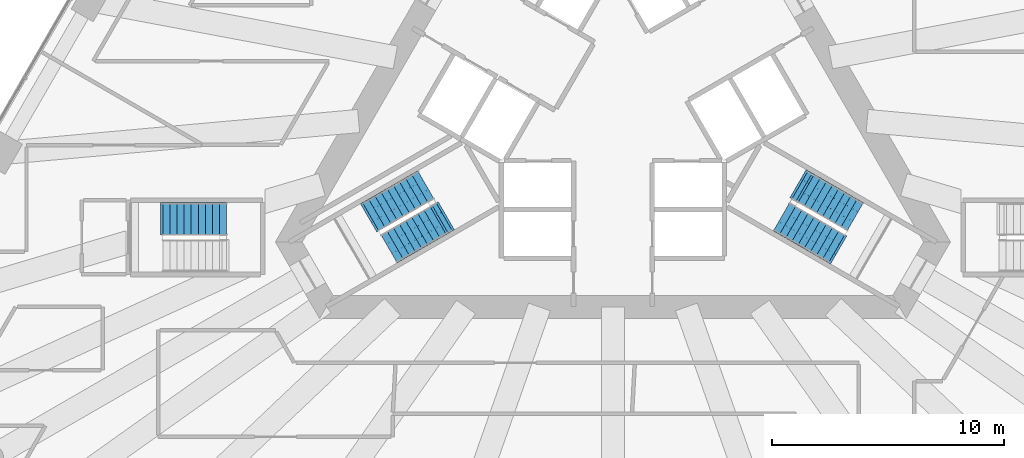
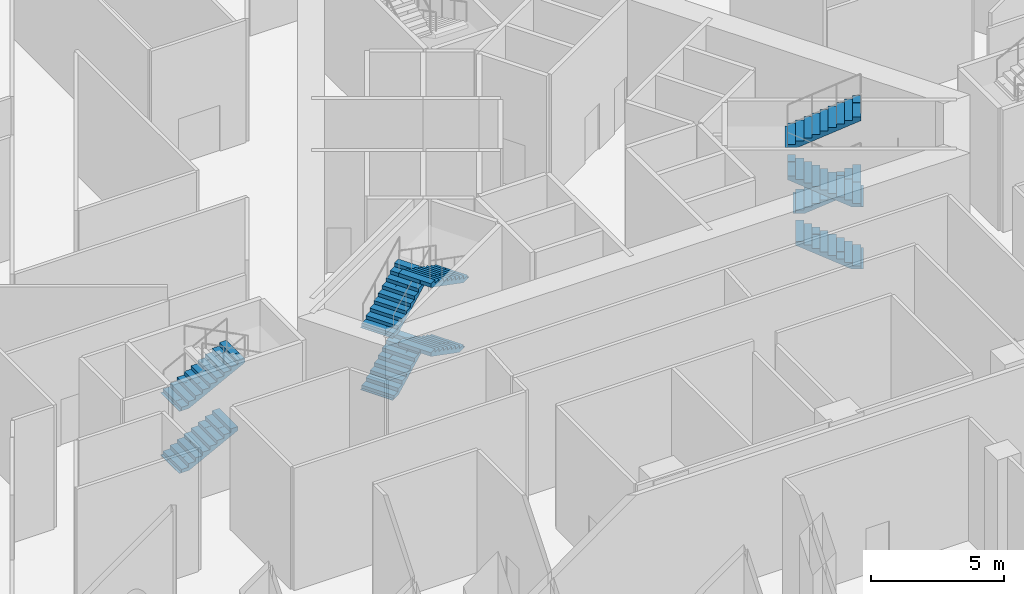
# One storey, part 31 of 36: 10 stair flights, 3 elements without a shape of their own.
"""IFC4 building model written with IfcOpenShell, lengths in metres."""

from ifc_helpers import new_model, si_unit, direction, frame, origin, place, context, subcontext, project, spatial, polyline, outline, extrude, material, type_object, element, aggregate, save


model = new_model("IFC4")

# Units and contexts
model_context = context("Model", 3, precision=1e-05, world=origin(), true_north=direction((0.0, 1.0)))
body_context = subcontext(model_context, "Body", "Model", "MODEL_VIEW")
ifc_project = project(units=[si_unit("LENGTHUNIT", "METRE"), si_unit("AREAUNIT", "SQUARE_METRE"), si_unit("VOLUMEUNIT", "CUBIC_METRE"), si_unit("PLANEANGLEUNIT", "RADIAN"), si_unit("MASSUNIT", "GRAM", prefix="KILO")], contexts=[model_context])

# Site, building, storey
site_placement = place(None, origin())
site = spatial("IfcSite", under=ifc_project, at=site_placement, CompositionType="ELEMENT")
building_placement = place(site_placement, origin())
building = spatial("IfcBuilding", under=site, at=building_placement, Name="Triada Interchange Tower", CompositionType="ELEMENT")
storey_placement = place(building_placement, frame((0.0, 0.0, 8.5)))
storey = spatial("IfcBuildingStorey", under=building, at=storey_placement, Name="L01", CompositionType="ELEMENT", Elevation=8.5)

# Stair, stair flights
ifc_material = material(Name="Concrete C35/45", Category="concrete")
stair_type = type_object("IfcStairType", Name="HALF TURN STAIR 1400", PredefinedType="HALF_TURN_STAIR", material=ifc_material)
stair_1_placement = place(storey_placement, origin())
stair_1 = element("IfcStair", 1, at=stair_1_placement, inside=storey, type_object=stair_type, Name="Exit stair S01-2", PredefinedType="HALF_TURN_STAIR")
stair_flight_type = type_object("IfcStairFlightType", Name="STRAIGHT STAIR FLIGHT 1400", PredefinedType="STRAIGHT", material=ifc_material)
stair_flight_1_placement = place(storey_placement, frame((-10.446044921875, -5.10693359375, 0.0), z_axis=(0.0, 0.0, 1.0), x_axis=(0.866025403784, 0.5, 0.0)))
stair_flight_1 = element("IfcStairFlight", 2, at=stair_flight_1_placement, type_object=stair_flight_type, Name="S01-2 flight 1", NumberOfRisers=9, NumberOfTreads=8, PredefinedType="STRAIGHT", RiserHeight=0.15789, TreadLength=0.305, context=body_context, shape_type="SweptSolid", body=[
    extrude(outline(polyline([(-0.10009765625, 0.0), (-0.10009765625, 0.02001953125), (0.0, 0.02001953125), (0.0, 0.157958984375), (0.304931640625, 0.157958984375), (0.304931640625, 0.315673828125), (0.610107421875, 0.315673828125), (0.610107421875, 0.4736328125), (0.9150390625, 0.4736328125), (0.9150390625, 0.631591796875), (1.219970703125, 0.631591796875), (1.219970703125, 0.78955078125), (1.52490234375, 0.78955078125), (1.52490234375, 0.947265625), (1.830078125, 0.947265625), (1.830078125, 1.105224609375), (2.135009765625, 1.105224609375), (2.135009765625, 1.26318359375), (2.43994140625, 1.26318359375), (2.444091796875, 1.26318359375), (2.444091796875, 1.4208984375), (2.444091796875, 1.09423828125), (0.326171875, 0.0), (-0.10009765625, 0.0)])), frame((0.0, 0.699951171875, 0.0), z_axis=(0.0, -1.0, 0.0), x_axis=(1.0, 0.0, 0.0)), (0.0, 0.0, 1.0), 0.46533203125),
    extrude(outline(polyline([(-0.10009765625, 0.0), (-0.10009765625, 0.02001953125), (0.0, 0.02001953125), (0.0, 0.157958984375), (0.304931640625, 0.157958984375), (0.304931640625, 0.315673828125), (0.610107421875, 0.315673828125), (0.610107421875, 0.4736328125), (0.9150390625, 0.4736328125), (0.9150390625, 0.631591796875), (1.219970703125, 0.631591796875), (1.219970703125, 0.78955078125), (1.52490234375, 0.78955078125), (1.52490234375, 0.947265625), (1.830078125, 0.947265625), (1.830078125, 1.105224609375), (2.135009765625, 1.105224609375), (2.135009765625, 1.26318359375), (2.43994140625, 1.26318359375), (2.444091796875, 1.26318359375), (2.444091796875, 1.4208984375), (2.444091796875, 1.09423828125), (0.326171875, 0.0), (-0.10009765625, 0.0)])), frame((0.0, 0.232666015625, 0.0), z_axis=(0.0, -1.0, 0.0), x_axis=(1.0, 0.0, 0.0)), (0.0, 0.0, 1.0), 0.46533203125),
    extrude(outline(polyline([(-0.10009765625, 0.0), (-0.10009765625, 0.02001953125), (0.0, 0.02001953125), (0.0, 0.157958984375), (0.304931640625, 0.157958984375), (0.304931640625, 0.315673828125), (0.610107421875, 0.315673828125), (0.610107421875, 0.4736328125), (0.9150390625, 0.4736328125), (0.9150390625, 0.631591796875), (1.219970703125, 0.631591796875), (1.219970703125, 0.78955078125), (1.52490234375, 0.78955078125), (1.52490234375, 0.947265625), (1.830078125, 0.947265625), (1.830078125, 1.105224609375), (2.135009765625, 1.105224609375), (2.135009765625, 1.26318359375), (2.43994140625, 1.26318359375), (2.444091796875, 1.26318359375), (2.444091796875, 1.4208984375), (2.444091796875, 1.09423828125), (0.326171875, 0.0), (-0.10009765625, 0.0)])), frame((0.0, -0.234619140625, 0.0), z_axis=(0.0, -1.0, 0.0), x_axis=(1.0, 0.0, 0.0)), (0.0, 0.0, 1.0), 0.46533203125),
])
stair_flight_2_placement = place(storey_placement, frame((-7.532958984375, -5.27294921875, 1.4208984375), z_axis=(0.0, 0.0, 1.0), x_axis=(-0.866025403784, -0.5, 0.0)))
stair_flight_2 = element("IfcStairFlight", 3, at=stair_flight_2_placement, type_object=stair_flight_type, Name="S01-2 flight 2", NumberOfRisers=9, NumberOfTreads=8, PredefinedType="STRAIGHT", RiserHeight=0.15789, TreadLength=0.305, context=body_context, shape_type="SweptSolid", body=[
    extrude(outline(polyline([(-0.10009765625, 0.0), (-0.10009765625, 0.02001953125), (0.0, 0.02001953125), (0.0, 0.157958984375), (0.304931640625, 0.157958984375), (0.304931640625, 0.315673828125), (0.610107421875, 0.315673828125), (0.610107421875, 0.4736328125), (0.9150390625, 0.4736328125), (0.9150390625, 0.631591796875), (1.219970703125, 0.631591796875), (1.219970703125, 0.78955078125), (1.52490234375, 0.78955078125), (1.52490234375, 0.947265625), (1.830078125, 0.947265625), (1.830078125, 1.105224609375), (2.135009765625, 1.105224609375), (2.135009765625, 1.26318359375), (2.43994140625, 1.26318359375), (2.444091796875, 1.26318359375), (2.444091796875, 1.4208984375), (2.444091796875, 1.09423828125), (0.326171875, 0.0), (-0.10009765625, 0.0)])), frame((0.0, 0.699951171875, 0.0), z_axis=(0.0, -1.0, 0.0), x_axis=(1.0, 0.0, 0.0)), (0.0, 0.0, 1.0), 0.46533203125),
    extrude(outline(polyline([(-0.10009765625, 0.0), (-0.10009765625, 0.02001953125), (0.0, 0.02001953125), (0.0, 0.157958984375), (0.304931640625, 0.157958984375), (0.304931640625, 0.315673828125), (0.610107421875, 0.315673828125), (0.610107421875, 0.4736328125), (0.9150390625, 0.4736328125), (0.9150390625, 0.631591796875), (1.219970703125, 0.631591796875), (1.219970703125, 0.78955078125), (1.52490234375, 0.78955078125), (1.52490234375, 0.947265625), (1.830078125, 0.947265625), (1.830078125, 1.105224609375), (2.135009765625, 1.105224609375), (2.135009765625, 1.26318359375), (2.43994140625, 1.26318359375), (2.444091796875, 1.26318359375), (2.444091796875, 1.4208984375), (2.444091796875, 1.09423828125), (0.326171875, 0.0), (-0.10009765625, 0.0)])), frame((0.0, 0.232666015625, 0.0), z_axis=(0.0, -1.0, 0.0), x_axis=(1.0, 0.0, 0.0)), (0.0, 0.0, 1.0), 0.46533203125),
    extrude(outline(polyline([(-0.10009765625, 0.0), (-0.10009765625, 0.02001953125), (0.0, 0.02001953125), (0.0, 0.157958984375), (0.304931640625, 0.157958984375), (0.304931640625, 0.315673828125), (0.610107421875, 0.315673828125), (0.610107421875, 0.4736328125), (0.9150390625, 0.4736328125), (0.9150390625, 0.631591796875), (1.219970703125, 0.631591796875), (1.219970703125, 0.78955078125), (1.52490234375, 0.78955078125), (1.52490234375, 0.947265625), (1.830078125, 0.947265625), (1.830078125, 1.105224609375), (2.135009765625, 1.105224609375), (2.135009765625, 1.26318359375), (2.43994140625, 1.26318359375), (2.444091796875, 1.26318359375), (2.444091796875, 1.4208984375), (2.444091796875, 1.09423828125), (0.326171875, 0.0), (-0.10009765625, 0.0)])), frame((0.0, -0.234619140625, 0.0), z_axis=(0.0, -1.0, 0.0), x_axis=(1.0, 0.0, 0.0)), (0.0, 0.0, 1.0), 0.46533203125),
])
stair_flight_3_placement = place(storey_placement, frame((-10.446044921875, -5.10693359375, 2.842041015625), z_axis=(0.0, 0.0, 1.0), x_axis=(0.866025403784, 0.5, 0.0)))
stair_flight_3 = element("IfcStairFlight", 4, at=stair_flight_3_placement, type_object=stair_flight_type, Name="S01-2 flight 3", NumberOfRisers=10, NumberOfTreads=9, PredefinedType="STRAIGHT", RiserHeight=0.15789, TreadLength=0.305, context=body_context, shape_type="SweptSolid", body=[
    extrude(outline(polyline([(-0.10009765625, 0.0), (-0.10009765625, 0.02001953125), (0.0, 0.02001953125), (0.0, 0.157958984375), (0.304931640625, 0.157958984375), (0.304931640625, 0.315673828125), (0.610107421875, 0.315673828125), (0.610107421875, 0.4736328125), (0.9150390625, 0.4736328125), (0.9150390625, 0.631591796875), (1.219970703125, 0.631591796875), (1.219970703125, 0.78955078125), (1.52490234375, 0.78955078125), (1.52490234375, 0.947265625), (1.830078125, 0.947265625), (1.830078125, 1.105224609375), (2.135009765625, 1.105224609375), (2.135009765625, 1.26318359375), (2.43994140625, 1.26318359375), (2.43994140625, 1.4208984375), (2.7451171875, 1.4208984375), (2.7490234375, 1.4208984375), (2.7490234375, 1.578857421875), (2.7490234375, 1.252197265625), (0.326171875, 0.0), (-0.10009765625, 0.0)])), frame((0.0, 0.699951171875, 0.0), z_axis=(0.0, -1.0, 0.0), x_axis=(1.0, 0.0, 0.0)), (0.0, 0.0, 1.0), 0.46533203125),
    extrude(outline(polyline([(-0.10009765625, 0.0), (-0.10009765625, 0.02001953125), (0.0, 0.02001953125), (0.0, 0.157958984375), (0.304931640625, 0.157958984375), (0.304931640625, 0.315673828125), (0.610107421875, 0.315673828125), (0.610107421875, 0.4736328125), (0.9150390625, 0.4736328125), (0.9150390625, 0.631591796875), (1.219970703125, 0.631591796875), (1.219970703125, 0.78955078125), (1.52490234375, 0.78955078125), (1.52490234375, 0.947265625), (1.830078125, 0.947265625), (1.830078125, 1.105224609375), (2.135009765625, 1.105224609375), (2.135009765625, 1.26318359375), (2.43994140625, 1.26318359375), (2.43994140625, 1.4208984375), (2.7451171875, 1.4208984375), (2.7490234375, 1.4208984375), (2.7490234375, 1.578857421875), (2.7490234375, 1.252197265625), (0.326171875, 0.0), (-0.10009765625, 0.0)])), frame((0.0, 0.232666015625, 0.0), z_axis=(0.0, -1.0, 0.0), x_axis=(1.0, 0.0, 0.0)), (0.0, 0.0, 1.0), 0.46533203125),
    extrude(outline(polyline([(-0.10009765625, 0.0), (-0.10009765625, 0.02001953125), (0.0, 0.02001953125), (0.0, 0.157958984375), (0.304931640625, 0.157958984375), (0.304931640625, 0.315673828125), (0.610107421875, 0.315673828125), (0.610107421875, 0.4736328125), (0.9150390625, 0.4736328125), (0.9150390625, 0.631591796875), (1.219970703125, 0.631591796875), (1.219970703125, 0.78955078125), (1.52490234375, 0.78955078125), (1.52490234375, 0.947265625), (1.830078125, 0.947265625), (1.830078125, 1.105224609375), (2.135009765625, 1.105224609375), (2.135009765625, 1.26318359375), (2.43994140625, 1.26318359375), (2.43994140625, 1.4208984375), (2.7451171875, 1.4208984375), (2.7490234375, 1.4208984375), (2.7490234375, 1.578857421875), (2.7490234375, 1.252197265625), (0.326171875, 0.0), (-0.10009765625, 0.0)])), frame((0.0, -0.234619140625, 0.0), z_axis=(0.0, -1.0, 0.0), x_axis=(1.0, 0.0, 0.0)), (0.0, 0.0, 1.0), 0.46533203125),
])
stair_flight_4_placement = place(storey_placement, frame((-7.26904296875, -5.1201171875, 4.4208984375), z_axis=(0.0, 0.0, 1.0), x_axis=(-0.866025403784, -0.5, 0.0)))
stair_flight_4 = element("IfcStairFlight", 5, at=stair_flight_4_placement, type_object=stair_flight_type, Name="S01-2 flight 4", NumberOfRisers=10, NumberOfTreads=9, PredefinedType="STRAIGHT", RiserHeight=0.15789, TreadLength=0.305, context=body_context, shape_type="SweptSolid", body=[
    extrude(outline(polyline([(-0.10009765625, 0.0), (-0.10009765625, 0.02001953125), (0.0, 0.02001953125), (0.0, 0.157958984375), (0.304931640625, 0.157958984375), (0.304931640625, 0.315673828125), (0.610107421875, 0.315673828125), (0.610107421875, 0.4736328125), (0.9150390625, 0.4736328125), (0.9150390625, 0.631591796875), (1.219970703125, 0.631591796875), (1.219970703125, 0.78955078125), (1.52490234375, 0.78955078125), (1.52490234375, 0.947265625), (1.830078125, 0.947265625), (1.830078125, 1.105224609375), (2.135009765625, 1.105224609375), (2.135009765625, 1.26318359375), (2.43994140625, 1.26318359375), (2.43994140625, 1.4208984375), (2.7451171875, 1.4208984375), (2.7490234375, 1.4208984375), (2.7490234375, 1.578857421875), (2.7490234375, 1.252197265625), (0.326171875, 0.0), (-0.10009765625, 0.0)])), frame((0.0, 0.699951171875, 0.0), z_axis=(0.0, -1.0, 0.0), x_axis=(1.0, 0.0, 0.0)), (0.0, 0.0, 1.0), 0.46533203125),
    extrude(outline(polyline([(-0.10009765625, 0.0), (-0.10009765625, 0.02001953125), (0.0, 0.02001953125), (0.0, 0.157958984375), (0.304931640625, 0.157958984375), (0.304931640625, 0.315673828125), (0.610107421875, 0.315673828125), (0.610107421875, 0.4736328125), (0.9150390625, 0.4736328125), (0.9150390625, 0.631591796875), (1.219970703125, 0.631591796875), (1.219970703125, 0.78955078125), (1.52490234375, 0.78955078125), (1.52490234375, 0.947265625), (1.830078125, 0.947265625), (1.830078125, 1.105224609375), (2.135009765625, 1.105224609375), (2.135009765625, 1.26318359375), (2.43994140625, 1.26318359375), (2.43994140625, 1.4208984375), (2.7451171875, 1.4208984375), (2.7490234375, 1.4208984375), (2.7490234375, 1.578857421875), (2.7490234375, 1.252197265625), (0.326171875, 0.0), (-0.10009765625, 0.0)])), frame((0.0, 0.232666015625, 0.0), z_axis=(0.0, -1.0, 0.0), x_axis=(1.0, 0.0, 0.0)), (0.0, 0.0, 1.0), 0.46533203125),
    extrude(outline(polyline([(-0.10009765625, 0.0), (-0.10009765625, 0.02001953125), (0.0, 0.02001953125), (0.0, 0.157958984375), (0.304931640625, 0.157958984375), (0.304931640625, 0.315673828125), (0.610107421875, 0.315673828125), (0.610107421875, 0.4736328125), (0.9150390625, 0.4736328125), (0.9150390625, 0.631591796875), (1.219970703125, 0.631591796875), (1.219970703125, 0.78955078125), (1.52490234375, 0.78955078125), (1.52490234375, 0.947265625), (1.830078125, 0.947265625), (1.830078125, 1.105224609375), (2.135009765625, 1.105224609375), (2.135009765625, 1.26318359375), (2.43994140625, 1.26318359375), (2.43994140625, 1.4208984375), (2.7451171875, 1.4208984375), (2.7490234375, 1.4208984375), (2.7490234375, 1.578857421875), (2.7490234375, 1.252197265625), (0.326171875, 0.0), (-0.10009765625, 0.0)])), frame((0.0, -0.234619140625, 0.0), z_axis=(0.0, -1.0, 0.0), x_axis=(1.0, 0.0, 0.0)), (0.0, 0.0, 1.0), 0.46533203125),
])
aggregate(stair_1, [stair_flight_1, stair_flight_2, stair_flight_3, stair_flight_4])

stair_2_placement = place(storey_placement, origin())
stair_2 = element("IfcStair", 6, at=stair_2_placement, inside=storey, type_object=stair_type, Name="Exit stair S01-3", PredefinedType="HALF_TURN_STAIR")
stair_flight_5_placement = place(storey_placement, frame((9.64599609375, -6.492919921875, 0.0), z_axis=(0.0, 0.0, 1.0), x_axis=(-0.866025403784, 0.5, 0.0)))
stair_flight_5 = element("IfcStairFlight", 7, at=stair_flight_5_placement, type_object=stair_flight_type, Name="S01-3 flight 1", NumberOfRisers=9, NumberOfTreads=8, PredefinedType="STRAIGHT", RiserHeight=0.15789, TreadLength=0.305, context=body_context, shape_type="SweptSolid", body=[
    extrude(outline(polyline([(-0.10009765625, 0.0), (-0.10009765625, 0.02001953125), (0.0, 0.02001953125), (0.0, 0.157958984375), (0.304931640625, 0.157958984375), (0.304931640625, 0.315673828125), (0.610107421875, 0.315673828125), (0.610107421875, 0.4736328125), (0.9150390625, 0.4736328125), (0.9150390625, 0.631591796875), (1.219970703125, 0.631591796875), (1.219970703125, 0.78955078125), (1.52490234375, 0.78955078125), (1.52490234375, 0.947265625), (1.830078125, 0.947265625), (1.830078125, 1.105224609375), (2.135009765625, 1.105224609375), (2.135009765625, 1.26318359375), (2.43994140625, 1.26318359375), (2.444091796875, 1.26318359375), (2.444091796875, 1.4208984375), (2.444091796875, 1.09423828125), (0.326171875, 0.0), (-0.10009765625, 0.0)])), frame((0.0, 0.699951171875, 0.0), z_axis=(0.0, -1.0, 0.0), x_axis=(1.0, 0.0, 0.0)), (0.0, 0.0, 1.0), 0.46533203125),
    extrude(outline(polyline([(-0.10009765625, 0.0), (-0.10009765625, 0.02001953125), (0.0, 0.02001953125), (0.0, 0.157958984375), (0.304931640625, 0.157958984375), (0.304931640625, 0.315673828125), (0.610107421875, 0.315673828125), (0.610107421875, 0.4736328125), (0.9150390625, 0.4736328125), (0.9150390625, 0.631591796875), (1.219970703125, 0.631591796875), (1.219970703125, 0.78955078125), (1.52490234375, 0.78955078125), (1.52490234375, 0.947265625), (1.830078125, 0.947265625), (1.830078125, 1.105224609375), (2.135009765625, 1.105224609375), (2.135009765625, 1.26318359375), (2.43994140625, 1.26318359375), (2.444091796875, 1.26318359375), (2.444091796875, 1.4208984375), (2.444091796875, 1.09423828125), (0.326171875, 0.0), (-0.10009765625, 0.0)])), frame((0.0, 0.232666015625, 0.0), z_axis=(0.0, -1.0, 0.0), x_axis=(1.0, 0.0, 0.0)), (0.0, 0.0, 1.0), 0.46533203125),
    extrude(outline(polyline([(-0.10009765625, 0.0), (-0.10009765625, 0.02001953125), (0.0, 0.02001953125), (0.0, 0.157958984375), (0.304931640625, 0.157958984375), (0.304931640625, 0.315673828125), (0.610107421875, 0.315673828125), (0.610107421875, 0.4736328125), (0.9150390625, 0.4736328125), (0.9150390625, 0.631591796875), (1.219970703125, 0.631591796875), (1.219970703125, 0.78955078125), (1.52490234375, 0.78955078125), (1.52490234375, 0.947265625), (1.830078125, 0.947265625), (1.830078125, 1.105224609375), (2.135009765625, 1.105224609375), (2.135009765625, 1.26318359375), (2.43994140625, 1.26318359375), (2.444091796875, 1.26318359375), (2.444091796875, 1.4208984375), (2.444091796875, 1.09423828125), (0.326171875, 0.0), (-0.10009765625, 0.0)])), frame((0.0, -0.234619140625, 0.0), z_axis=(0.0, -1.0, 0.0), x_axis=(1.0, 0.0, 0.0)), (0.0, 0.0, 1.0), 0.46533203125),
])
stair_flight_6_placement = place(storey_placement, frame((8.3330078125, -3.886962890625, 1.4208984375), z_axis=(0.0, 0.0, 1.0), x_axis=(0.866025403784, -0.5, 0.0)))
stair_flight_6 = element("IfcStairFlight", 8, at=stair_flight_6_placement, type_object=stair_flight_type, Name="S01-3 flight 2", NumberOfRisers=9, NumberOfTreads=8, PredefinedType="STRAIGHT", RiserHeight=0.15789, TreadLength=0.305, context=body_context, shape_type="SweptSolid", body=[
    extrude(outline(polyline([(-0.10009765625, 0.0), (-0.10009765625, 0.02001953125), (0.0, 0.02001953125), (0.0, 0.157958984375), (0.304931640625, 0.157958984375), (0.304931640625, 0.315673828125), (0.610107421875, 0.315673828125), (0.610107421875, 0.4736328125), (0.9150390625, 0.4736328125), (0.9150390625, 0.631591796875), (1.219970703125, 0.631591796875), (1.219970703125, 0.78955078125), (1.52490234375, 0.78955078125), (1.52490234375, 0.947265625), (1.830078125, 0.947265625), (1.830078125, 1.105224609375), (2.135009765625, 1.105224609375), (2.135009765625, 1.26318359375), (2.43994140625, 1.26318359375), (2.444091796875, 1.26318359375), (2.444091796875, 1.4208984375), (2.444091796875, 1.09423828125), (0.326171875, 0.0), (-0.10009765625, 0.0)])), frame((0.0, 0.699951171875, 0.0), z_axis=(0.0, -1.0, 0.0), x_axis=(1.0, 0.0, 0.0)), (0.0, 0.0, 1.0), 0.46533203125),
    extrude(outline(polyline([(-0.10009765625, 0.0), (-0.10009765625, 0.02001953125), (0.0, 0.02001953125), (0.0, 0.157958984375), (0.304931640625, 0.157958984375), (0.304931640625, 0.315673828125), (0.610107421875, 0.315673828125), (0.610107421875, 0.4736328125), (0.9150390625, 0.4736328125), (0.9150390625, 0.631591796875), (1.219970703125, 0.631591796875), (1.219970703125, 0.78955078125), (1.52490234375, 0.78955078125), (1.52490234375, 0.947265625), (1.830078125, 0.947265625), (1.830078125, 1.105224609375), (2.135009765625, 1.105224609375), (2.135009765625, 1.26318359375), (2.43994140625, 1.26318359375), (2.444091796875, 1.26318359375), (2.444091796875, 1.4208984375), (2.444091796875, 1.09423828125), (0.326171875, 0.0), (-0.10009765625, 0.0)])), frame((0.0, 0.232666015625, 0.0), z_axis=(0.0, -1.0, 0.0), x_axis=(1.0, 0.0, 0.0)), (0.0, 0.0, 1.0), 0.46533203125),
    extrude(outline(polyline([(-0.10009765625, 0.0), (-0.10009765625, 0.02001953125), (0.0, 0.02001953125), (0.0, 0.157958984375), (0.304931640625, 0.157958984375), (0.304931640625, 0.315673828125), (0.610107421875, 0.315673828125), (0.610107421875, 0.4736328125), (0.9150390625, 0.4736328125), (0.9150390625, 0.631591796875), (1.219970703125, 0.631591796875), (1.219970703125, 0.78955078125), (1.52490234375, 0.78955078125), (1.52490234375, 0.947265625), (1.830078125, 0.947265625), (1.830078125, 1.105224609375), (2.135009765625, 1.105224609375), (2.135009765625, 1.26318359375), (2.43994140625, 1.26318359375), (2.444091796875, 1.26318359375), (2.444091796875, 1.4208984375), (2.444091796875, 1.09423828125), (0.326171875, 0.0), (-0.10009765625, 0.0)])), frame((0.0, -0.234619140625, 0.0), z_axis=(0.0, -1.0, 0.0), x_axis=(1.0, 0.0, 0.0)), (0.0, 0.0, 1.0), 0.46533203125),
])
stair_flight_7_placement = place(storey_placement, frame((9.64599609375, -6.492919921875, 2.842041015625), z_axis=(0.0, 0.0, 1.0), x_axis=(-0.866025403784, 0.5, 0.0)))
stair_flight_7 = element("IfcStairFlight", 9, at=stair_flight_7_placement, type_object=stair_flight_type, Name="S01-3 flight 3", NumberOfRisers=10, NumberOfTreads=9, PredefinedType="STRAIGHT", RiserHeight=0.15789, TreadLength=0.305, context=body_context, shape_type="SweptSolid", body=[
    extrude(outline(polyline([(-0.10009765625, 0.0), (-0.10009765625, 0.02001953125), (0.0, 0.02001953125), (0.0, 0.157958984375), (0.304931640625, 0.157958984375), (0.304931640625, 0.315673828125), (0.610107421875, 0.315673828125), (0.610107421875, 0.4736328125), (0.9150390625, 0.4736328125), (0.9150390625, 0.631591796875), (1.219970703125, 0.631591796875), (1.219970703125, 0.78955078125), (1.52490234375, 0.78955078125), (1.52490234375, 0.947265625), (1.830078125, 0.947265625), (1.830078125, 1.105224609375), (2.135009765625, 1.105224609375), (2.135009765625, 1.26318359375), (2.43994140625, 1.26318359375), (2.43994140625, 1.4208984375), (2.7451171875, 1.4208984375), (2.7490234375, 1.4208984375), (2.7490234375, 1.578857421875), (2.7490234375, 1.252197265625), (0.326171875, 0.0), (-0.10009765625, 0.0)])), frame((0.0, 0.699951171875, 0.0), z_axis=(0.0, -1.0, 0.0), x_axis=(1.0, 0.0, 0.0)), (0.0, 0.0, 1.0), 0.46533203125),
    extrude(outline(polyline([(-0.10009765625, 0.0), (-0.10009765625, 0.02001953125), (0.0, 0.02001953125), (0.0, 0.157958984375), (0.304931640625, 0.157958984375), (0.304931640625, 0.315673828125), (0.610107421875, 0.315673828125), (0.610107421875, 0.4736328125), (0.9150390625, 0.4736328125), (0.9150390625, 0.631591796875), (1.219970703125, 0.631591796875), (1.219970703125, 0.78955078125), (1.52490234375, 0.78955078125), (1.52490234375, 0.947265625), (1.830078125, 0.947265625), (1.830078125, 1.105224609375), (2.135009765625, 1.105224609375), (2.135009765625, 1.26318359375), (2.43994140625, 1.26318359375), (2.43994140625, 1.4208984375), (2.7451171875, 1.4208984375), (2.7490234375, 1.4208984375), (2.7490234375, 1.578857421875), (2.7490234375, 1.252197265625), (0.326171875, 0.0), (-0.10009765625, 0.0)])), frame((0.0, 0.232666015625, 0.0), z_axis=(0.0, -1.0, 0.0), x_axis=(1.0, 0.0, 0.0)), (0.0, 0.0, 1.0), 0.46533203125),
    extrude(outline(polyline([(-0.10009765625, 0.0), (-0.10009765625, 0.02001953125), (0.0, 0.02001953125), (0.0, 0.157958984375), (0.304931640625, 0.157958984375), (0.304931640625, 0.315673828125), (0.610107421875, 0.315673828125), (0.610107421875, 0.4736328125), (0.9150390625, 0.4736328125), (0.9150390625, 0.631591796875), (1.219970703125, 0.631591796875), (1.219970703125, 0.78955078125), (1.52490234375, 0.78955078125), (1.52490234375, 0.947265625), (1.830078125, 0.947265625), (1.830078125, 1.105224609375), (2.135009765625, 1.105224609375), (2.135009765625, 1.26318359375), (2.43994140625, 1.26318359375), (2.43994140625, 1.4208984375), (2.7451171875, 1.4208984375), (2.7490234375, 1.4208984375), (2.7490234375, 1.578857421875), (2.7490234375, 1.252197265625), (0.326171875, 0.0), (-0.10009765625, 0.0)])), frame((0.0, -0.234619140625, 0.0), z_axis=(0.0, -1.0, 0.0), x_axis=(1.0, 0.0, 0.0)), (0.0, 0.0, 1.0), 0.46533203125),
])
stair_flight_8_placement = place(storey_placement, frame((8.069091796875, -3.735107421875, 4.4208984375), z_axis=(0.0, 0.0, 1.0), x_axis=(0.866025403784, -0.5, 0.0)))
stair_flight_8 = element("IfcStairFlight", 10, at=stair_flight_8_placement, type_object=stair_flight_type, Name="S01-3 flight 4", NumberOfRisers=10, NumberOfTreads=9, PredefinedType="STRAIGHT", RiserHeight=0.15789, TreadLength=0.305, context=body_context, shape_type="SweptSolid", body=[
    extrude(outline(polyline([(-0.10009765625, 0.0), (-0.10009765625, 0.02001953125), (0.0, 0.02001953125), (0.0, 0.157958984375), (0.304931640625, 0.157958984375), (0.304931640625, 0.315673828125), (0.610107421875, 0.315673828125), (0.610107421875, 0.4736328125), (0.9150390625, 0.4736328125), (0.9150390625, 0.631591796875), (1.219970703125, 0.631591796875), (1.219970703125, 0.78955078125), (1.52490234375, 0.78955078125), (1.52490234375, 0.947265625), (1.830078125, 0.947265625), (1.830078125, 1.105224609375), (2.135009765625, 1.105224609375), (2.135009765625, 1.26318359375), (2.43994140625, 1.26318359375), (2.43994140625, 1.4208984375), (2.7451171875, 1.4208984375), (2.7490234375, 1.4208984375), (2.7490234375, 1.578857421875), (2.7490234375, 1.252197265625), (0.326171875, 0.0), (-0.10009765625, 0.0)])), frame((0.0, 0.699951171875, 0.0), z_axis=(0.0, -1.0, 0.0), x_axis=(1.0, 0.0, 0.0)), (0.0, 0.0, 1.0), 0.46533203125),
    extrude(outline(polyline([(-0.10009765625, 0.0), (-0.10009765625, 0.02001953125), (0.0, 0.02001953125), (0.0, 0.157958984375), (0.304931640625, 0.157958984375), (0.304931640625, 0.315673828125), (0.610107421875, 0.315673828125), (0.610107421875, 0.4736328125), (0.9150390625, 0.4736328125), (0.9150390625, 0.631591796875), (1.219970703125, 0.631591796875), (1.219970703125, 0.78955078125), (1.52490234375, 0.78955078125), (1.52490234375, 0.947265625), (1.830078125, 0.947265625), (1.830078125, 1.105224609375), (2.135009765625, 1.105224609375), (2.135009765625, 1.26318359375), (2.43994140625, 1.26318359375), (2.43994140625, 1.4208984375), (2.7451171875, 1.4208984375), (2.7490234375, 1.4208984375), (2.7490234375, 1.578857421875), (2.7490234375, 1.252197265625), (0.326171875, 0.0), (-0.10009765625, 0.0)])), frame((0.0, 0.232666015625, 0.0), z_axis=(0.0, -1.0, 0.0), x_axis=(1.0, 0.0, 0.0)), (0.0, 0.0, 1.0), 0.46533203125),
    extrude(outline(polyline([(-0.10009765625, 0.0), (-0.10009765625, 0.02001953125), (0.0, 0.02001953125), (0.0, 0.157958984375), (0.304931640625, 0.157958984375), (0.304931640625, 0.315673828125), (0.610107421875, 0.315673828125), (0.610107421875, 0.4736328125), (0.9150390625, 0.4736328125), (0.9150390625, 0.631591796875), (1.219970703125, 0.631591796875), (1.219970703125, 0.78955078125), (1.52490234375, 0.78955078125), (1.52490234375, 0.947265625), (1.830078125, 0.947265625), (1.830078125, 1.105224609375), (2.135009765625, 1.105224609375), (2.135009765625, 1.26318359375), (2.43994140625, 1.26318359375), (2.43994140625, 1.4208984375), (2.7451171875, 1.4208984375), (2.7490234375, 1.4208984375), (2.7490234375, 1.578857421875), (2.7490234375, 1.252197265625), (0.326171875, 0.0), (-0.10009765625, 0.0)])), frame((0.0, -0.234619140625, 0.0), z_axis=(0.0, -1.0, 0.0), x_axis=(1.0, 0.0, 0.0)), (0.0, 0.0, 1.0), 0.46533203125),
])
aggregate(stair_2, [stair_flight_5, stair_flight_6, stair_flight_7, stair_flight_8])

stair_3_placement = place(storey_placement, origin())
stair_3 = element("IfcStair", 11, at=stair_3_placement, inside=storey, type_object=stair_type, Name="Exit stair S01-6", PredefinedType="HALF_TURN_STAIR")
stair_flight_9_placement = place(storey_placement, frame((-19.39990234375, -5.199951171875, 0.0), z_axis=(0.0, 0.0, 1.0), x_axis=(1.0, 0.0, 0.0)))
stair_flight_9 = element("IfcStairFlight", 12, at=stair_flight_9_placement, type_object=stair_flight_type, Name="S01-6 flight 1", NumberOfRisers=9, NumberOfTreads=8, PredefinedType="STRAIGHT", RiserHeight=0.15789, TreadLength=0.305, context=body_context, shape_type="SweptSolid", body=[
    extrude(outline(polyline([(-0.10009765625, 0.0), (-0.10009765625, 0.02001953125), (0.0, 0.02001953125), (0.0, 0.157958984375), (0.304931640625, 0.157958984375), (0.304931640625, 0.315673828125), (0.610107421875, 0.315673828125), (0.610107421875, 0.4736328125), (0.9150390625, 0.4736328125), (0.9150390625, 0.631591796875), (1.219970703125, 0.631591796875), (1.219970703125, 0.78955078125), (1.52490234375, 0.78955078125), (1.52490234375, 0.947265625), (1.830078125, 0.947265625), (1.830078125, 1.105224609375), (2.135009765625, 1.105224609375), (2.135009765625, 1.26318359375), (2.43994140625, 1.26318359375), (2.444091796875, 1.26318359375), (2.444091796875, 1.4208984375), (2.444091796875, 1.09423828125), (0.326171875, 0.0), (-0.10009765625, 0.0)])), frame((0.0, 0.699951171875, 0.0), z_axis=(0.0, -1.0, 0.0), x_axis=(1.0, 0.0, 0.0)), (0.0, 0.0, 1.0), 0.46533203125),
    extrude(outline(polyline([(-0.10009765625, 0.0), (-0.10009765625, 0.02001953125), (0.0, 0.02001953125), (0.0, 0.157958984375), (0.304931640625, 0.157958984375), (0.304931640625, 0.315673828125), (0.610107421875, 0.315673828125), (0.610107421875, 0.4736328125), (0.9150390625, 0.4736328125), (0.9150390625, 0.631591796875), (1.219970703125, 0.631591796875), (1.219970703125, 0.78955078125), (1.52490234375, 0.78955078125), (1.52490234375, 0.947265625), (1.830078125, 0.947265625), (1.830078125, 1.105224609375), (2.135009765625, 1.105224609375), (2.135009765625, 1.26318359375), (2.43994140625, 1.26318359375), (2.444091796875, 1.26318359375), (2.444091796875, 1.4208984375), (2.444091796875, 1.09423828125), (0.326171875, 0.0), (-0.10009765625, 0.0)])), frame((0.0, 0.232666015625, 0.0), z_axis=(0.0, -1.0, 0.0), x_axis=(1.0, 0.0, 0.0)), (0.0, 0.0, 1.0), 0.46533203125),
    extrude(outline(polyline([(-0.10009765625, 0.0), (-0.10009765625, 0.02001953125), (0.0, 0.02001953125), (0.0, 0.157958984375), (0.304931640625, 0.157958984375), (0.304931640625, 0.315673828125), (0.610107421875, 0.315673828125), (0.610107421875, 0.4736328125), (0.9150390625, 0.4736328125), (0.9150390625, 0.631591796875), (1.219970703125, 0.631591796875), (1.219970703125, 0.78955078125), (1.52490234375, 0.78955078125), (1.52490234375, 0.947265625), (1.830078125, 0.947265625), (1.830078125, 1.105224609375), (2.135009765625, 1.105224609375), (2.135009765625, 1.26318359375), (2.43994140625, 1.26318359375), (2.444091796875, 1.26318359375), (2.444091796875, 1.4208984375), (2.444091796875, 1.09423828125), (0.326171875, 0.0), (-0.10009765625, 0.0)])), frame((0.0, -0.234619140625, 0.0), z_axis=(0.0, -1.0, 0.0), x_axis=(1.0, 0.0, 0.0)), (0.0, 0.0, 1.0), 0.46533203125),
])
stair_flight_10_placement = place(storey_placement, frame((-19.39990234375, -5.199951171875, 2.842041015625), z_axis=(0.0, 0.0, 1.0), x_axis=(1.0, 0.0, 0.0)))
stair_flight_10 = element("IfcStairFlight", 13, at=stair_flight_10_placement, type_object=stair_flight_type, Name="S01-6 flight 3", NumberOfRisers=10, NumberOfTreads=9, PredefinedType="STRAIGHT", RiserHeight=0.15789, TreadLength=0.305, context=body_context, shape_type="SweptSolid", body=[
    extrude(outline(polyline([(-0.10009765625, 0.0), (-0.10009765625, 0.02001953125), (0.0, 0.02001953125), (0.0, 0.157958984375), (0.304931640625, 0.157958984375), (0.304931640625, 0.315673828125), (0.610107421875, 0.315673828125), (0.610107421875, 0.4736328125), (0.9150390625, 0.4736328125), (0.9150390625, 0.631591796875), (1.219970703125, 0.631591796875), (1.219970703125, 0.78955078125), (1.52490234375, 0.78955078125), (1.52490234375, 0.947265625), (1.830078125, 0.947265625), (1.830078125, 1.105224609375), (2.135009765625, 1.105224609375), (2.135009765625, 1.26318359375), (2.43994140625, 1.26318359375), (2.43994140625, 1.4208984375), (2.7451171875, 1.4208984375), (2.7490234375, 1.4208984375), (2.7490234375, 1.578857421875), (2.7490234375, 1.252197265625), (0.326171875, 0.0), (-0.10009765625, 0.0)])), frame((0.0, 0.699951171875, 0.0), z_axis=(0.0, -1.0, 0.0), x_axis=(1.0, 0.0, 0.0)), (0.0, 0.0, 1.0), 0.46533203125),
    extrude(outline(polyline([(-0.10009765625, 0.0), (-0.10009765625, 0.02001953125), (0.0, 0.02001953125), (0.0, 0.157958984375), (0.304931640625, 0.157958984375), (0.304931640625, 0.315673828125), (0.610107421875, 0.315673828125), (0.610107421875, 0.4736328125), (0.9150390625, 0.4736328125), (0.9150390625, 0.631591796875), (1.219970703125, 0.631591796875), (1.219970703125, 0.78955078125), (1.52490234375, 0.78955078125), (1.52490234375, 0.947265625), (1.830078125, 0.947265625), (1.830078125, 1.105224609375), (2.135009765625, 1.105224609375), (2.135009765625, 1.26318359375), (2.43994140625, 1.26318359375), (2.43994140625, 1.4208984375), (2.7451171875, 1.4208984375), (2.7490234375, 1.4208984375), (2.7490234375, 1.578857421875), (2.7490234375, 1.252197265625), (0.326171875, 0.0), (-0.10009765625, 0.0)])), frame((0.0, 0.232666015625, 0.0), z_axis=(0.0, -1.0, 0.0), x_axis=(1.0, 0.0, 0.0)), (0.0, 0.0, 1.0), 0.46533203125),
    extrude(outline(polyline([(-0.10009765625, 0.0), (-0.10009765625, 0.02001953125), (0.0, 0.02001953125), (0.0, 0.157958984375), (0.304931640625, 0.157958984375), (0.304931640625, 0.315673828125), (0.610107421875, 0.315673828125), (0.610107421875, 0.4736328125), (0.9150390625, 0.4736328125), (0.9150390625, 0.631591796875), (1.219970703125, 0.631591796875), (1.219970703125, 0.78955078125), (1.52490234375, 0.78955078125), (1.52490234375, 0.947265625), (1.830078125, 0.947265625), (1.830078125, 1.105224609375), (2.135009765625, 1.105224609375), (2.135009765625, 1.26318359375), (2.43994140625, 1.26318359375), (2.43994140625, 1.4208984375), (2.7451171875, 1.4208984375), (2.7490234375, 1.4208984375), (2.7490234375, 1.578857421875), (2.7490234375, 1.252197265625), (0.326171875, 0.0), (-0.10009765625, 0.0)])), frame((0.0, -0.234619140625, 0.0), z_axis=(0.0, -1.0, 0.0), x_axis=(1.0, 0.0, 0.0)), (0.0, 0.0, 1.0), 0.46533203125),
])
aggregate(stair_3, [stair_flight_9, stair_flight_10])

save(model, "model.ifc")
